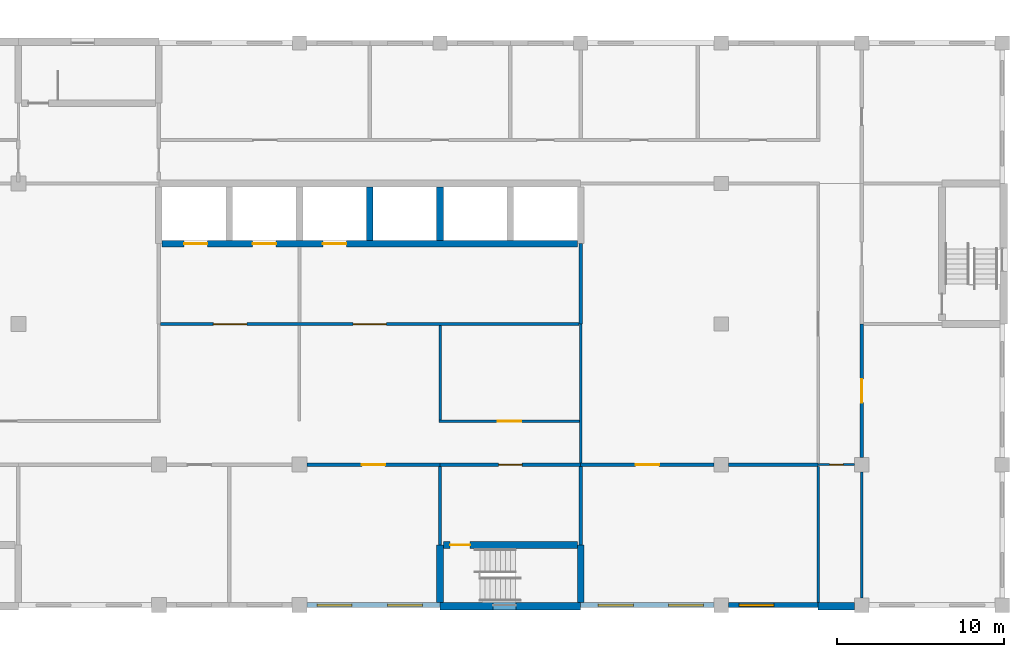
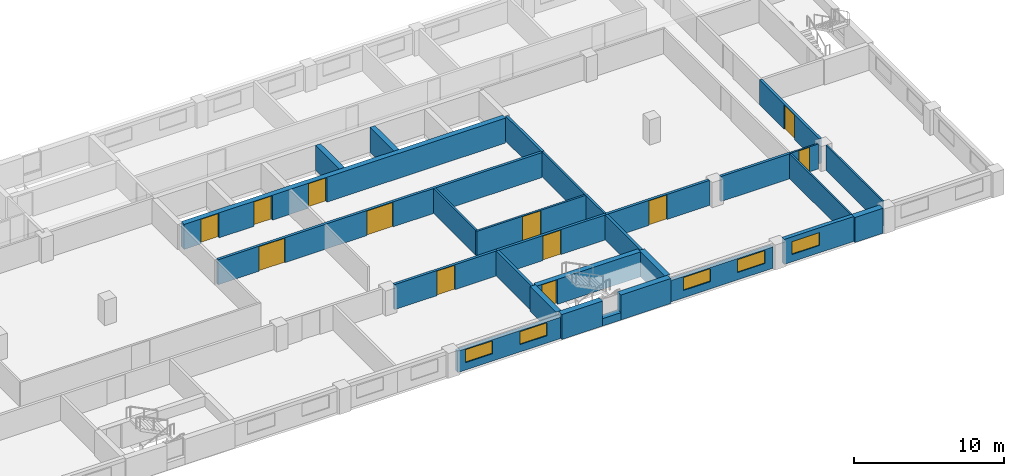
# One storey, part 39 of 48: 28 walls, 12 doors, 5 windows, 17 openings.
"""IFC4 building model written with IfcOpenShell, lengths in metres."""

from ifc_helpers import new_model, si_unit, direction, frame, frame_2d, origin, place, context, subcontext, project, spatial, rectangle, extrude, material, layer, layer_set, type_object, element, fill, save


model = new_model("IFC4")

# Units and contexts
model_context = context("Model", 3, precision=1e-05, world=origin(), true_north=direction((0.0, 1.0)))
body_context = subcontext(model_context, "Body", "Model", "MODEL_VIEW")
ifc_project = project(units=[si_unit("LENGTHUNIT", "METRE"), si_unit("AREAUNIT", "SQUARE_METRE"), si_unit("VOLUMEUNIT", "CUBIC_METRE"), si_unit("PLANEANGLEUNIT", "RADIAN"), si_unit("MASSUNIT", "GRAM", prefix="KILO")], contexts=[model_context])

# Site, building, storey
site_placement = place(None, origin())
site = spatial("IfcSite", under=ifc_project, at=site_placement, CompositionType="ELEMENT")
building_placement = place(site_placement, origin())
building = spatial("IfcBuilding", under=site, at=building_placement, Name="Yavir Park General Hospital", CompositionType="ELEMENT")
storey_placement = place(building_placement, frame((0.0, 0.0, 12.89990234375)))
storey = spatial("IfcBuildingStorey", under=building, at=storey_placement, Name="I02", CompositionType="ELEMENT", Elevation=12.89990234375)

# Wall, opening, door
ifc_material_1 = material(Name="Double gypsum board fire partition on steel studs", Category="steel")
ifc_layer_1 = layer(ifc_material_1, 0.199951171875)
ifc_layer_set_1 = layer_set([ifc_layer_1], Name="Double gypsum board fire partition on steel studs")
wall_type_1 = type_object("IfcWallType", Name="Fire-rated partition 200, EI 60", PredefinedType="PARTITIONING", material=ifc_layer_set_1)
wall_1_placement = place(storey_placement, frame((134.39990234375, 8.39990234375, 0.0), z_axis=(0.0, 0.0, 1.0), x_axis=(1.0, 0.0, 0.0)))
wall_1 = element("IfcWall", 1, at=wall_1_placement, inside=storey, type_object=wall_type_1, Name="FP20 I02-018", PredefinedType="PARTITIONING", context=body_context, shape_type="SweptSolid", body=[
    extrude(rectangle(XDim=8.400146484375, YDim=0.199951171875, at=frame_2d((4.2001953125, 0.0))), origin(), (0.0, 0.0, 1.0), 2.0400390625),
])
opening_1_placement = place(wall_1_placement, frame((3.5, 0.0, 0.0)))
opening_1 = element("IfcOpeningElement", 2, at=opening_1_placement, cuts=wall_1, Name="Opening I02.D015", PredefinedType="OPENING", context=body_context, shape_type="SweptSolid", body=[
    extrude(rectangle(XDim=1.39990234375, YDim=2.0, at=frame_2d((0.699951171875, 1.0))), frame((0.0, 0.10986328125, 0.0), z_axis=(0.0, -1.0, 0.0), x_axis=(1.0, 0.0, 0.0)), (0.0, 0.0, 1.0), 0.219970703125),
])
ifc_material_2 = material(Name="Steel frame, fire-resisting leaves with vision panels", Category="steel")
door_type_1 = type_object("IfcDoorType", Name="Double fire door with vision panels 1400 x 2000, EI 60", OperationType="DOUBLE_DOOR_SINGLE_SWING", PredefinedType="DOOR", material=ifc_material_2)
door_1_placement = place(opening_1_placement, origin())
door_1 = element("IfcDoor", 3, at=door_1_placement, inside=storey, type_object=door_type_1, Name="I02.D015", OperationType="SINGLE_SWING_LEFT", OverallHeight=2.0, OverallWidth=1.39990234375, PredefinedType="DOOR", context=body_context, shape_type="SweptSolid", body=[
    extrude(rectangle(XDim=1.39990234375, YDim=2.0, at=frame_2d((0.699951171875, 1.0))), frame((0.0, 0.030029296875, 0.0), z_axis=(0.0, -1.0, 0.0), x_axis=(1.0, 0.0, 0.0)), (0.0, 0.0, 1.0), 0.06005859375),
])
fill(opening_1, door_1)

# Wall, openings, doors
wall_2_placement = place(storey_placement, frame((117.699951171875, 16.800048828125, 0.0), z_axis=(0.0, 0.0, 1.0), x_axis=(1.0, 0.0, 0.0)))
wall_2 = element("IfcWall", 4, at=wall_2_placement, inside=storey, type_object=wall_type_1, Name="FP20 I02-035", PredefinedType="PARTITIONING", context=body_context, shape_type="SweptSolid", body=[
    extrude(rectangle(XDim=25.0, YDim=0.199951171875, at=frame_2d((12.5, 0.0))), origin(), (0.0, 0.0, 1.0), 2.0400390625),
])
opening_2_placement = place(wall_2_placement, frame((3.14990234375, 0.0, 0.0)))
opening_2 = element("IfcOpeningElement", 5, at=opening_2_placement, cuts=wall_2, Name="Opening I02.D027", PredefinedType="OPENING", context=body_context, shape_type="SweptSolid", body=[
    extrude(rectangle(XDim=2.0, YDim=2.0, at=frame_2d((1.0, 1.0))), frame((0.0, 0.10986328125, 0.0), z_axis=(0.0, -1.0, 0.0), x_axis=(1.0, 0.0, 0.0)), (0.0, 0.0, 1.0), 0.219970703125),
])
opening_3_placement = place(wall_2_placement, frame((11.5, 0.0, 0.0)))
opening_3 = element("IfcOpeningElement", 6, at=opening_3_placement, cuts=wall_2, Name="Opening I02.D028", PredefinedType="OPENING", context=body_context, shape_type="SweptSolid", body=[
    extrude(rectangle(XDim=2.0, YDim=2.0, at=frame_2d((1.0, 1.0))), frame((0.0, 0.10986328125, 0.0), z_axis=(0.0, -1.0, 0.0), x_axis=(1.0, 0.0, 0.0)), (0.0, 0.0, 1.0), 0.219970703125),
])
ifc_material_3 = material(Name="Steel frame, fire-resisting leaves with vision panels", Category="steel")
door_type_2 = type_object("IfcDoorType", Name="Double fire door with vision panels 2000 x 2000, EI 60", OperationType="DOUBLE_DOOR_SINGLE_SWING", PredefinedType="DOOR", material=ifc_material_3)
door_2_placement = place(opening_2_placement, origin())
door_2 = element("IfcDoor", 7, at=door_2_placement, inside=storey, type_object=door_type_2, Name="I02.D027", OperationType="SINGLE_SWING_LEFT", OverallHeight=2.0, OverallWidth=2.0, PredefinedType="DOOR", context=body_context, shape_type="SweptSolid", body=[
    extrude(rectangle(XDim=2.0, YDim=2.0, at=frame_2d((1.0, 1.0))), frame((0.0, 0.030029296875, 0.0), z_axis=(0.0, -1.0, 0.0), x_axis=(1.0, 0.0, 0.0)), (0.0, 0.0, 1.0), 0.06005859375),
])
fill(opening_2, door_2)
door_3_placement = place(opening_3_placement, origin())
door_3 = element("IfcDoor", 8, at=door_3_placement, inside=storey, type_object=door_type_2, Name="I02.D028", OperationType="SINGLE_SWING_LEFT", OverallHeight=2.0, OverallWidth=2.0, PredefinedType="DOOR", context=body_context, shape_type="SweptSolid", body=[
    extrude(rectangle(XDim=2.0, YDim=2.0, at=frame_2d((1.0, 1.0))), frame((0.0, 0.030029296875, 0.0), z_axis=(0.0, -1.0, 0.0), x_axis=(1.0, 0.0, 0.0)), (0.0, 0.0, 1.0), 0.06005859375),
])
fill(opening_3, door_3)

# Walls
for number, where, z_axis, x_axis, name in (
    (9, (134.39990234375, 3.60009765625, 0.0), (0.0, 0.0, 1.0), (0.0, 1.0, 0.0), "FP20 I02-190"),
    (10, (142.800048828125, 3.60009765625, 0.0), (0.0, 0.0, 1.0), (0.0, 1.0, 0.0), "FP20 I02-196"),
):
    element("IfcWall", number, at=place(storey_placement, frame(where, z_axis=z_axis, x_axis=x_axis)), inside=storey, type_object=wall_type_1, Name=name, PredefinedType="PARTITIONING", context=body_context, shape_type="SweptSolid", body=[
        extrude(rectangle(XDim=4.699951171875, YDim=0.199951171875, at=frame_2d((2.35009765625, 0.0))), origin(), (0.0, 0.0, 1.0), 2.0400390625),
    ])
wall_3_placement = place(storey_placement, frame((142.800048828125, 16.800048828125, 0.0), z_axis=(0.0, 0.0, 1.0), x_axis=(0.0, 1.0, 0.0)))
element("IfcWall", 11, at=wall_3_placement, inside=storey, type_object=wall_type_1, Name="FP20 I02-198", PredefinedType="PARTITIONING", context=body_context, shape_type="SweptSolid", body=[
    extrude(rectangle(XDim=4.800048828125, YDim=0.199951171875, at=frame_2d((2.39990234375, 0.0))), origin(), (0.0, 0.0, 1.0), 2.0400390625),
])

# Wall, opening, door
ifc_material_4 = material(Name="Gypsum board partition on steel studs", Category="steel")
ifc_layer_2 = layer(ifc_material_4, 0.14990234375)
ifc_layer_set_2 = layer_set([ifc_layer_2], Name="Gypsum board partition on steel studs")
wall_type_2 = type_object("IfcWallType", Name="Gypsum board partition 150", PredefinedType="PARTITIONING", material=ifc_layer_set_2)
wall_4_placement = place(storey_placement, frame((134.324951171875, 11.0, 0.0), z_axis=(0.0, 0.0, 1.0), x_axis=(1.0, 0.0, 0.0)))
wall_4 = element("IfcWall", 12, at=wall_4_placement, inside=storey, type_object=wall_type_2, Name="P15 I02-026", PredefinedType="PARTITIONING", context=body_context, shape_type="SweptSolid", body=[
    extrude(rectangle(XDim=8.400146484375, YDim=0.14990234375, at=frame_2d((4.2001953125, 0.0))), origin(), (0.0, 0.0, 1.0), 2.0400390625),
])
opening_4_placement = place(wall_4_placement, frame((3.53759765625, 0.0, 0.0)))
opening_4 = element("IfcOpeningElement", 13, at=opening_4_placement, cuts=wall_4, Name="Opening I02.D022", PredefinedType="OPENING", context=body_context, shape_type="SweptSolid", body=[
    extrude(rectangle(XDim=1.39990234375, YDim=2.0, at=frame_2d((0.699951171875, 1.0))), frame((0.0, 0.0849609375, 0.0), z_axis=(0.0, -1.0, 0.0), x_axis=(1.0, 0.0, 0.0)), (0.0, 0.0, 1.0), 0.169921875),
])
ifc_material_5 = material(Name="Hollow metal frame, solid-core timber leaf", Category="wood")
door_type_3 = type_object("IfcDoorType", Name="Double swing door 1400 x 2000", OperationType="DOUBLE_DOOR_SINGLE_SWING", PredefinedType="DOOR", material=ifc_material_5)
door_4_placement = place(opening_4_placement, origin())
door_4 = element("IfcDoor", 14, at=door_4_placement, inside=storey, type_object=door_type_3, Name="I02.D022", OperationType="SINGLE_SWING_RIGHT", OverallHeight=2.0, OverallWidth=1.39990234375, PredefinedType="DOOR", context=body_context, shape_type="SweptSolid", body=[
    extrude(rectangle(XDim=1.39990234375, YDim=2.0, at=frame_2d((0.699951171875, 1.0))), frame((0.0, 0.02490234375, 0.0), z_axis=(0.0, -1.0, 0.0), x_axis=(1.0, 0.0, 0.0)), (0.0, 0.0, 1.0), 0.050048828125),
])
fill(opening_4, door_4)

# Walls
wall_5_placement = place(storey_placement, frame((134.39990234375, 11.074951171875, 0.0), z_axis=(0.0, 0.0, 1.0), x_axis=(0.0, 1.0, 0.0)))
element("IfcWall", 15, at=wall_5_placement, inside=storey, type_object=wall_type_2, Name="P15 I02-191", PredefinedType="PARTITIONING", context=body_context, shape_type="SweptSolid", body=[
    extrude(rectangle(XDim=5.625, YDim=0.14990234375, at=frame_2d((2.8125, 0.0))), origin(), (0.0, 0.0, 1.0), 2.0400390625),
])
wall_6_placement = place(storey_placement, frame((142.800048828125, 8.5, 0.0), z_axis=(0.0, 0.0, 1.0), x_axis=(0.0, 1.0, 0.0)))
element("IfcWall", 16, at=wall_6_placement, inside=storey, type_object=wall_type_2, Name="P15 I02-197", PredefinedType="PARTITIONING", context=body_context, shape_type="SweptSolid", body=[
    extrude(rectangle(XDim=8.300048828125, YDim=0.14990234375, at=frame_2d((4.14990234375, 0.0))), origin(), (0.0, 0.0, 1.0), 2.0400390625),
])

# Wall, openings, windows
ifc_material_6 = material(Name="Insulated sandwich panels on a Steel S355 subframe", Category="steel")
ifc_layer_3 = layer(ifc_material_6, 0.300048828125)
ifc_layer_set_3 = layer_set([ifc_layer_3], Name="Insulated sandwich panels on a Steel S355 subframe")
wall_type_3 = type_object("IfcWallType", Name="Insulated panel service floor wall 300, E 30", PredefinedType="SOLIDWALL", material=ifc_layer_set_3)
wall_7_placement = place(storey_placement, frame((126.449951171875, 0.0, 0.0), z_axis=(0.0, 0.0, 1.0), x_axis=(1.0, 0.0, 0.0)))
wall_7 = element("IfcWall", 17, at=wall_7_placement, inside=storey, type_object=wall_type_3, Name="XW5 I02-026", PredefinedType="SOLIDWALL", context=body_context, shape_type="SweptSolid", body=[
    extrude(rectangle(XDim=7.949951171875, YDim=0.300048828125, at=frame_2d((3.97509765625, 0.0))), origin(), (0.0, 0.0, 1.0), 1.739990234375),
])
opening_5_placement = place(wall_7_placement, frame((0.60009765625, 0.0, 0.60009765625)))
opening_5 = element("IfcOpeningElement", 18, at=opening_5_placement, cuts=wall_7, Name="Opening LV3", PredefinedType="OPENING", context=body_context, shape_type="SweptSolid", body=[
    extrude(rectangle(XDim=2.10009765625, YDim=1.050048828125, at=frame_2d((1.050048828125, 0.52490234375))), frame((0.0, 0.159912109375, 0.0), z_axis=(0.0, -1.0, 0.0), x_axis=(1.0, 0.0, 0.0)), (0.0, 0.0, 1.0), 0.320068359375),
])
opening_6_placement = place(wall_7_placement, frame((4.800048828125, 0.0, 0.60009765625)))
opening_6 = element("IfcOpeningElement", 19, at=opening_6_placement, cuts=wall_7, Name="Opening LV3", PredefinedType="OPENING", context=body_context, shape_type="SweptSolid", body=[
    extrude(rectangle(XDim=2.10009765625, YDim=1.050048828125, at=frame_2d((1.050048828125, 0.52490234375))), frame((0.0, 0.159912109375, 0.0), z_axis=(0.0, -1.0, 0.0), x_axis=(1.0, 0.0, 0.0)), (0.0, 0.0, 1.0), 0.320068359375),
])
ifc_material_7 = material(Name="Anodised aluminium louvre blades in a deep frame", Category="aluminium")
window_type = type_object("IfcWindowType", Name="Interstitial floor louvre 2100 x 1050", PartitioningType="SINGLE_PANEL", PredefinedType="WINDOW", material=ifc_material_7)
window_1_placement = place(opening_5_placement, origin())
window_1 = element("IfcWindow", 20, at=window_1_placement, inside=storey, type_object=window_type, Name="LV3 I02-025", OverallHeight=1.050048828125, OverallWidth=2.10009765625, PartitioningType="SINGLE_PANEL", PredefinedType="WINDOW", context=body_context, shape_type="SweptSolid", body=[
    extrude(rectangle(XDim=2.10009765625, YDim=1.050048828125, at=frame_2d((1.050048828125, 0.52490234375))), frame((0.0, 0.074951171875, 0.0), z_axis=(0.0, -1.0, 0.0), x_axis=(1.0, 0.0, 0.0)), (0.0, 0.0, 1.0), 0.14990234375),
])
fill(opening_5, window_1)
window_2_placement = place(opening_6_placement, origin())
window_2 = element("IfcWindow", 21, at=window_2_placement, inside=storey, type_object=window_type, Name="LV3 I02-026", OverallHeight=1.050048828125, OverallWidth=2.10009765625, PartitioningType="SINGLE_PANEL", PredefinedType="WINDOW", context=body_context, shape_type="SweptSolid", body=[
    extrude(rectangle(XDim=2.10009765625, YDim=1.050048828125, at=frame_2d((1.050048828125, 0.52490234375))), frame((0.0, 0.074951171875, 0.0), z_axis=(0.0, -1.0, 0.0), x_axis=(1.0, 0.0, 0.0)), (0.0, 0.0, 1.0), 0.14990234375),
])
fill(opening_6, window_2)

wall_8_placement = place(storey_placement, frame((142.800048828125, 0.0, 0.0), z_axis=(0.0, 0.0, 1.0), x_axis=(1.0, 0.0, 0.0)))
wall_8 = element("IfcWall", 22, at=wall_8_placement, inside=storey, type_object=wall_type_3, Name="XW5 I02-030", PredefinedType="SOLIDWALL", context=body_context, shape_type="SweptSolid", body=[
    extrude(rectangle(XDim=7.974853515625, YDim=0.300048828125, at=frame_2d((3.9873046875, 0.0))), origin(), (0.0, 0.0, 1.0), 1.739990234375),
])
opening_7_placement = place(wall_8_placement, frame((1.050048828125, 0.0, 0.60009765625)))
opening_7 = element("IfcOpeningElement", 23, at=opening_7_placement, cuts=wall_8, Name="Opening LV3", PredefinedType="OPENING", context=body_context, shape_type="SweptSolid", body=[
    extrude(rectangle(XDim=2.10009765625, YDim=1.050048828125, at=frame_2d((1.050048828125, 0.52490234375))), frame((0.0, 0.159912109375, 0.0), z_axis=(0.0, -1.0, 0.0), x_axis=(1.0, 0.0, 0.0)), (0.0, 0.0, 1.0), 0.320068359375),
])
opening_8_placement = place(wall_8_placement, frame((5.25, 0.0, 0.60009765625)))
opening_8 = element("IfcOpeningElement", 24, at=opening_8_placement, cuts=wall_8, Name="Opening LV3", PredefinedType="OPENING", context=body_context, shape_type="SweptSolid", body=[
    extrude(rectangle(XDim=2.10009765625, YDim=1.050048828125, at=frame_2d((1.050048828125, 0.52490234375))), frame((0.0, 0.159912109375, 0.0), z_axis=(0.0, -1.0, 0.0), x_axis=(1.0, 0.0, 0.0)), (0.0, 0.0, 1.0), 0.320068359375),
])
window_3_placement = place(opening_7_placement, origin())
window_3 = element("IfcWindow", 25, at=window_3_placement, inside=storey, type_object=window_type, Name="LV3 I02-027", OverallHeight=1.050048828125, OverallWidth=2.10009765625, PartitioningType="SINGLE_PANEL", PredefinedType="WINDOW", context=body_context, shape_type="SweptSolid", body=[
    extrude(rectangle(XDim=2.10009765625, YDim=1.050048828125, at=frame_2d((1.050048828125, 0.52490234375))), frame((0.0, 0.074951171875, 0.0), z_axis=(0.0, -1.0, 0.0), x_axis=(1.0, 0.0, 0.0)), (0.0, 0.0, 1.0), 0.14990234375),
])
fill(opening_7, window_3)
window_4_placement = place(opening_8_placement, origin())
window_4 = element("IfcWindow", 26, at=window_4_placement, inside=storey, type_object=window_type, Name="LV3 I02-028", OverallHeight=1.050048828125, OverallWidth=2.10009765625, PartitioningType="SINGLE_PANEL", PredefinedType="WINDOW", context=body_context, shape_type="SweptSolid", body=[
    extrude(rectangle(XDim=2.10009765625, YDim=1.050048828125, at=frame_2d((1.050048828125, 0.52490234375))), frame((0.0, 0.074951171875, 0.0), z_axis=(0.0, -1.0, 0.0), x_axis=(1.0, 0.0, 0.0)), (0.0, 0.0, 1.0), 0.14990234375),
])
fill(opening_8, window_4)

# Wall, opening, window
wall_9_placement = place(storey_placement, frame((151.625, 0.0, 0.0), z_axis=(0.0, 0.0, 1.0), x_axis=(1.0, 0.0, 0.0)))
wall_9 = element("IfcWall", 27, at=wall_9_placement, inside=storey, type_object=wall_type_3, Name="XW5 I02-031", PredefinedType="SOLIDWALL", context=body_context, shape_type="SweptSolid", body=[
    extrude(rectangle(XDim=5.375, YDim=0.300048828125, at=frame_2d((2.6875, 0.0))), origin(), (0.0, 0.0, 1.0), 2.0400390625),
])
opening_9_placement = place(wall_9_placement, frame((0.625, 0.0, 0.60009765625)))
opening_9 = element("IfcOpeningElement", 28, at=opening_9_placement, cuts=wall_9, Name="Opening LV3", PredefinedType="OPENING", context=body_context, shape_type="SweptSolid", body=[
    extrude(rectangle(XDim=2.10009765625, YDim=1.050048828125, at=frame_2d((1.050048828125, 0.52490234375))), frame((0.0, 0.159912109375, 0.0), z_axis=(0.0, -1.0, 0.0), x_axis=(1.0, 0.0, 0.0)), (0.0, 0.0, 1.0), 0.320068359375),
])
window_5_placement = place(opening_9_placement, origin())
window_5 = element("IfcWindow", 29, at=window_5_placement, inside=storey, type_object=window_type, Name="LV3 I02-029", OverallHeight=1.050048828125, OverallWidth=2.10009765625, PartitioningType="SINGLE_PANEL", PredefinedType="WINDOW", context=body_context, shape_type="SweptSolid", body=[
    extrude(rectangle(XDim=2.10009765625, YDim=1.050048828125, at=frame_2d((1.050048828125, 0.52490234375))), frame((0.0, 0.074951171875, 0.0), z_axis=(0.0, -1.0, 0.0), x_axis=(1.0, 0.0, 0.0)), (0.0, 0.0, 1.0), 0.14990234375),
])
fill(opening_9, window_5)

# Wall, opening, door
ifc_material_8 = material(Name="Clay block masonry infill", Category="masonry")
ifc_layer_4 = layer(ifc_material_8, 0.199951171875)
ifc_layer_set_4 = layer_set([ifc_layer_4], Name="Clay block masonry infill")
wall_type_4 = type_object("IfcWallType", Name="Masonry infill wall 200", PredefinedType="SOLIDWALL", material=ifc_layer_set_4)
wall_10_placement = place(storey_placement, frame((126.449951171875, 8.39990234375, 0.0), z_axis=(0.0, 0.0, 1.0), x_axis=(1.0, 0.0, 0.0)))
wall_10 = element("IfcWall", 30, at=wall_10_placement, inside=storey, type_object=wall_type_4, Name="MW20 I02-017", PredefinedType="SOLIDWALL", context=body_context, shape_type="SweptSolid", body=[
    extrude(rectangle(XDim=7.949951171875, YDim=0.199951171875, at=frame_2d((3.97509765625, 0.0))), origin(), (0.0, 0.0, 1.0), 2.0400390625),
])
opening_10_placement = place(wall_10_placement, frame((3.27490234375, 0.0, 0.0)))
opening_10 = element("IfcOpeningElement", 31, at=opening_10_placement, cuts=wall_10, Name="Opening I02.D014", PredefinedType="OPENING", context=body_context, shape_type="SweptSolid", body=[
    extrude(rectangle(XDim=1.39990234375, YDim=2.0, at=frame_2d((0.699951171875, 1.0))), frame((0.0, 0.10986328125, 0.0), z_axis=(0.0, -1.0, 0.0), x_axis=(1.0, 0.0, 0.0)), (0.0, 0.0, 1.0), 0.219970703125),
])
door_5_placement = place(opening_10_placement, origin())
door_5 = element("IfcDoor", 32, at=door_5_placement, inside=storey, type_object=door_type_3, Name="I02.D014", OperationType="SINGLE_SWING_RIGHT", OverallHeight=2.0, OverallWidth=1.39990234375, PredefinedType="DOOR", context=body_context, shape_type="SweptSolid", body=[
    extrude(rectangle(XDim=1.39990234375, YDim=2.0, at=frame_2d((0.699951171875, 1.0))), frame((0.0, 0.02490234375, 0.0), z_axis=(0.0, -1.0, 0.0), x_axis=(1.0, 0.0, 0.0)), (0.0, 0.0, 1.0), 0.050048828125),
])
fill(opening_10, door_5)

wall_11_placement = place(storey_placement, frame((142.800048828125, 8.39990234375, 0.0), z_axis=(0.0, 0.0, 1.0), x_axis=(1.0, 0.0, 0.0)))
wall_11 = element("IfcWall", 33, at=wall_11_placement, inside=storey, type_object=wall_type_4, Name="MW20 I02-019", PredefinedType="SOLIDWALL", context=body_context, shape_type="SweptSolid", body=[
    extrude(rectangle(XDim=7.974853515625, YDim=0.199951171875, at=frame_2d((3.9873046875, 0.0))), origin(), (0.0, 0.0, 1.0), 2.0400390625),
])
opening_11_placement = place(wall_11_placement, frame((3.28759765625, 0.0, 0.0)))
opening_11 = element("IfcOpeningElement", 34, at=opening_11_placement, cuts=wall_11, Name="Opening I02.D016", PredefinedType="OPENING", context=body_context, shape_type="SweptSolid", body=[
    extrude(rectangle(XDim=1.39990234375, YDim=2.0, at=frame_2d((0.699951171875, 1.0))), frame((0.0, 0.10986328125, 0.0), z_axis=(0.0, -1.0, 0.0), x_axis=(1.0, 0.0, 0.0)), (0.0, 0.0, 1.0), 0.219970703125),
])
door_6_placement = place(opening_11_placement, origin())
door_6 = element("IfcDoor", 35, at=door_6_placement, inside=storey, type_object=door_type_3, Name="I02.D016", OperationType="SINGLE_SWING_LEFT", OverallHeight=2.0, OverallWidth=1.39990234375, PredefinedType="DOOR", context=body_context, shape_type="SweptSolid", body=[
    extrude(rectangle(XDim=1.39990234375, YDim=2.0, at=frame_2d((0.699951171875, 1.0))), frame((0.0, 0.02490234375, 0.0), z_axis=(0.0, -1.0, 0.0), x_axis=(1.0, 0.0, 0.0)), (0.0, 0.0, 1.0), 0.050048828125),
])
fill(opening_11, door_6)

# Wall
wall_12_placement = place(storey_placement, frame((151.625, 8.39990234375, 0.0), z_axis=(0.0, 0.0, 1.0), x_axis=(1.0, 0.0, 0.0)))
element("IfcWall", 36, at=wall_12_placement, inside=storey, type_object=wall_type_4, Name="MW20 I02-020", PredefinedType="SOLIDWALL", context=body_context, shape_type="SweptSolid", body=[
    extrude(rectangle(XDim=5.375, YDim=0.199951171875, at=frame_2d((2.6875, 0.0))), origin(), (0.0, 0.0, 1.0), 2.0400390625),
])

# Wall, opening, door
wall_13_placement = place(storey_placement, frame((159.60009765625, 8.824951171875, 0.0), z_axis=(0.0, 0.0, 1.0), x_axis=(0.0, 1.0, 0.0)))
wall_13 = element("IfcWall", 37, at=wall_13_placement, inside=storey, type_object=wall_type_4, Name="MW20 I02-206", PredefinedType="SOLIDWALL", context=body_context, shape_type="SweptSolid", body=[
    extrude(rectangle(XDim=7.97509765625, YDim=0.199951171875, at=frame_2d((3.987548828125, 0.0))), origin(), (0.0, 0.0, 1.0), 2.0400390625),
])
opening_12_placement = place(wall_13_placement, frame((3.28759765625, 0.0, 0.0)))
opening_12 = element("IfcOpeningElement", 38, at=opening_12_placement, cuts=wall_13, Name="Opening I02.D087", PredefinedType="OPENING", context=body_context, shape_type="SweptSolid", body=[
    extrude(rectangle(XDim=1.39990234375, YDim=2.0, at=frame_2d((0.699951171875, 1.0))), frame((0.0, 0.10986328125, 0.0), z_axis=(0.0, -1.0, 0.0), x_axis=(1.0, 0.0, 0.0)), (0.0, 0.0, 1.0), 0.219970703125),
])
door_7_placement = place(opening_12_placement, origin())
door_7 = element("IfcDoor", 39, at=door_7_placement, inside=storey, type_object=door_type_3, Name="I02.D087", OperationType="SINGLE_SWING_RIGHT", OverallHeight=2.0, OverallWidth=1.39990234375, PredefinedType="DOOR", context=body_context, shape_type="SweptSolid", body=[
    extrude(rectangle(XDim=1.39990234375, YDim=2.0, at=frame_2d((0.699951171875, 1.0))), frame((0.0, 0.02490234375, 0.0), z_axis=(0.0, -1.0, 0.0), x_axis=(1.0, 0.0, 0.0)), (0.0, 0.0, 1.0), 0.050048828125),
])
fill(opening_12, door_7)

ifc_material_9 = material(Name="Concrete C35/45", Category="concrete")
ifc_layer_5 = layer(ifc_material_9, 0.39990234375)
ifc_layer_set_5 = layer_set([ifc_layer_5], Name="Concrete C35/45")
wall_type_5 = type_object("IfcWallType", Name="Reinforced concrete core wall 400, REI 150", PredefinedType="SHEAR", material=ifc_layer_set_5)
wall_14_placement = place(storey_placement, frame((134.60009765625, 3.60009765625, 0.0), z_axis=(0.0, 0.0, 1.0), x_axis=(1.0, 0.0, 0.0)))
wall_14 = element("IfcWall", 40, at=wall_14_placement, inside=storey, type_object=wall_type_5, Name="CW40 I02-004", PredefinedType="SHEAR", context=body_context, shape_type="SweptSolid", body=[
    extrude(rectangle(XDim=8.0, YDim=0.39990234375, at=frame_2d((4.0, 0.0))), origin(), (0.0, 0.0, 1.0), 2.0400390625),
])
opening_13_placement = place(wall_14_placement, frame((0.39990234375, 0.0, 0.0)))
opening_13 = element("IfcOpeningElement", 41, at=opening_13_placement, cuts=wall_14, Name="Opening I02.D004", PredefinedType="OPENING", context=body_context, shape_type="SweptSolid", body=[
    extrude(rectangle(XDim=1.199951171875, YDim=2.0, at=frame_2d((0.60009765625, 1.0))), frame((0.0, 0.2099609375, 0.0), z_axis=(0.0, -1.0, 0.0), x_axis=(1.0, 0.0, 0.0)), (0.0, 0.0, 1.0), 0.419921875),
])
ifc_material_10 = material(Name="Steel frame, fire-resisting timber leaf", Category="steel")
door_type_4 = type_object("IfcDoorType", Name="Fire door 1200 x 2000, EI 60", OperationType="SINGLE_SWING_LEFT", PredefinedType="DOOR", material=ifc_material_10)
door_8_placement = place(opening_13_placement, origin())
door_8 = element("IfcDoor", 42, at=door_8_placement, inside=storey, type_object=door_type_4, Name="I02.D004", OperationType="SINGLE_SWING_LEFT", OverallHeight=2.0, OverallWidth=1.199951171875, PredefinedType="DOOR", context=body_context, shape_type="SweptSolid", body=[
    extrude(rectangle(XDim=1.199951171875, YDim=2.0, at=frame_2d((0.60009765625, 1.0))), frame((0.0, 0.02490234375, 0.0), z_axis=(0.0, -1.0, 0.0), x_axis=(1.0, 0.0, 0.0)), (0.0, 0.0, 1.0), 0.050048828125),
])
fill(opening_13, door_8)

# Wall, openings, doors
wall_15_placement = place(storey_placement, frame((117.800048828125, 21.60009765625, 0.0), z_axis=(0.0, 0.0, 1.0), x_axis=(1.0, 0.0, 0.0)))
wall_15 = element("IfcWall", 43, at=wall_15_placement, inside=storey, type_object=wall_type_5, Name="CW40 I02-039", PredefinedType="SHEAR", context=body_context, shape_type="SweptSolid", body=[
    extrude(rectangle(XDim=24.800048828125, YDim=0.39990234375, at=frame_2d((12.39990234375, 0.0))), origin(), (0.0, 0.0, 1.0), 2.0400390625),
])
opening_14_placement = place(wall_15_placement, frame((1.300048828125, 0.0, 0.0)))
opening_14 = element("IfcOpeningElement", 44, at=opening_14_placement, cuts=wall_15, Name="Opening I02.D030", PredefinedType="OPENING", context=body_context, shape_type="SweptSolid", body=[
    extrude(rectangle(XDim=1.39990234375, YDim=2.0, at=frame_2d((0.699951171875, 1.0))), frame((0.0, 0.2099609375, 0.0), z_axis=(0.0, -1.0, 0.0), x_axis=(1.0, 0.0, 0.0)), (0.0, 0.0, 1.0), 0.419921875),
])
opening_15_placement = place(wall_15_placement, frame((5.39990234375, 0.0, 0.0)))
opening_15 = element("IfcOpeningElement", 45, at=opening_15_placement, cuts=wall_15, Name="Opening I02.D031", PredefinedType="OPENING", context=body_context, shape_type="SweptSolid", body=[
    extrude(rectangle(XDim=1.39990234375, YDim=2.0, at=frame_2d((0.699951171875, 1.0))), frame((0.0, 0.2099609375, 0.0), z_axis=(0.0, -1.0, 0.0), x_axis=(1.0, 0.0, 0.0)), (0.0, 0.0, 1.0), 0.419921875),
])
opening_16_placement = place(wall_15_placement, frame((9.60009765625, 0.0, 0.0)))
opening_16 = element("IfcOpeningElement", 46, at=opening_16_placement, cuts=wall_15, Name="Opening I02.D032", PredefinedType="OPENING", context=body_context, shape_type="SweptSolid", body=[
    extrude(rectangle(XDim=1.39990234375, YDim=2.0, at=frame_2d((0.699951171875, 1.0))), frame((0.0, 0.2099609375, 0.0), z_axis=(0.0, -1.0, 0.0), x_axis=(1.0, 0.0, 0.0)), (0.0, 0.0, 1.0), 0.419921875),
])
ifc_material_11 = material(Name="Stainless steel landing door panels", Category="steel")
door_type_5 = type_object("IfcDoorType", Name="Lift landing door 1400 x 2000, EI 60", OperationType="SLIDING_TO_LEFT", PredefinedType="DOOR", material=ifc_material_11)
door_9_placement = place(opening_14_placement, origin())
door_9 = element("IfcDoor", 47, at=door_9_placement, inside=storey, type_object=door_type_5, Name="I02.D030", OperationType="SLIDING_TO_LEFT", OverallHeight=2.0, OverallWidth=1.39990234375, PredefinedType="DOOR", context=body_context, shape_type="SweptSolid", body=[
    extrude(rectangle(XDim=1.39990234375, YDim=2.0, at=frame_2d((0.699951171875, 1.0))), frame((0.0, 0.02490234375, 0.0), z_axis=(0.0, -1.0, 0.0), x_axis=(1.0, 0.0, 0.0)), (0.0, 0.0, 1.0), 0.050048828125),
])
fill(opening_14, door_9)
door_10_placement = place(opening_15_placement, origin())
door_10 = element("IfcDoor", 48, at=door_10_placement, inside=storey, type_object=door_type_5, Name="I02.D031", OperationType="SLIDING_TO_LEFT", OverallHeight=2.0, OverallWidth=1.39990234375, PredefinedType="DOOR", context=body_context, shape_type="SweptSolid", body=[
    extrude(rectangle(XDim=1.39990234375, YDim=2.0, at=frame_2d((0.699951171875, 1.0))), frame((0.0, 0.02490234375, 0.0), z_axis=(0.0, -1.0, 0.0), x_axis=(1.0, 0.0, 0.0)), (0.0, 0.0, 1.0), 0.050048828125),
])
fill(opening_15, door_10)
door_11_placement = place(opening_16_placement, origin())
door_11 = element("IfcDoor", 49, at=door_11_placement, inside=storey, type_object=door_type_5, Name="I02.D032", OperationType="SLIDING_TO_LEFT", OverallHeight=2.0, OverallWidth=1.39990234375, PredefinedType="DOOR", context=body_context, shape_type="SweptSolid", body=[
    extrude(rectangle(XDim=1.39990234375, YDim=2.0, at=frame_2d((0.699951171875, 1.0))), frame((0.0, 0.02490234375, 0.0), z_axis=(0.0, -1.0, 0.0), x_axis=(1.0, 0.0, 0.0)), (0.0, 0.0, 1.0), 0.050048828125),
])
fill(opening_16, door_11)

# Walls
wall_16_placement = place(storey_placement, frame((130.199951171875, 21.800048828125, 0.0), z_axis=(0.0, 0.0, 1.0), x_axis=(0.0, 1.0, 0.0)))
element("IfcWall", 50, at=wall_16_placement, inside=storey, type_object=wall_type_5, Name="CW40 I02-187", PredefinedType="SHEAR", context=body_context, shape_type="SweptSolid", body=[
    extrude(rectangle(XDim=3.199951171875, YDim=0.39990234375, at=frame_2d((1.60009765625, 0.0))), origin(), (0.0, 0.0, 1.0), 2.0400390625),
])
wall_17_placement = place(storey_placement, frame((134.39990234375, 0.14990234375, 0.0), z_axis=(0.0, 0.0, 1.0), x_axis=(0.0, 1.0, 0.0)))
element("IfcWall", 51, at=wall_17_placement, inside=storey, type_object=wall_type_5, Name="CW40 I02-189", PredefinedType="SHEAR", context=body_context, shape_type="SweptSolid", body=[
    extrude(rectangle(XDim=3.4501953125, YDim=0.39990234375, at=frame_2d((1.72509765625, 0.0))), origin(), (0.0, 0.0, 1.0), 2.0400390625),
])
wall_18_placement = place(storey_placement, frame((134.39990234375, 21.800048828125, 0.0), z_axis=(0.0, 0.0, 1.0), x_axis=(0.0, 1.0, 0.0)))
element("IfcWall", 52, at=wall_18_placement, inside=storey, type_object=wall_type_5, Name="CW40 I02-192", PredefinedType="SHEAR", context=body_context, shape_type="SweptSolid", body=[
    extrude(rectangle(XDim=3.199951171875, YDim=0.39990234375, at=frame_2d((1.60009765625, 0.0))), origin(), (0.0, 0.0, 1.0), 2.0400390625),
])
wall_19_placement = place(storey_placement, frame((142.800048828125, 0.14990234375, 0.0), z_axis=(0.0, 0.0, 1.0), x_axis=(0.0, 1.0, 0.0)))
element("IfcWall", 53, at=wall_19_placement, inside=storey, type_object=wall_type_5, Name="CW40 I02-195", PredefinedType="SHEAR", context=body_context, shape_type="SweptSolid", body=[
    extrude(rectangle(XDim=3.4501953125, YDim=0.39990234375, at=frame_2d((1.72509765625, 0.0))), origin(), (0.0, 0.0, 1.0), 2.0400390625),
])

# Wall, opening, door
ifc_material_12 = material(Name="Gypsum shaft wall system on steel studs", Category="steel")
ifc_layer_6 = layer(ifc_material_12, 0.125)
ifc_layer_set_6 = layer_set([ifc_layer_6], Name="Gypsum shaft wall system on steel studs")
wall_type_6 = type_object("IfcWallType", Name="Shaft wall 125, EI 90", PredefinedType="SOLIDWALL", material=ifc_layer_set_6)
wall_20_placement = place(storey_placement, frame((157.0, 8.39990234375, 0.0), z_axis=(0.0, 0.0, 1.0), x_axis=(1.0, 0.0, 0.0)))
wall_20 = element("IfcWall", 54, at=wall_20_placement, inside=storey, type_object=wall_type_6, Name="SW125 I02-021", PredefinedType="SOLIDWALL", context=body_context, shape_type="SweptSolid", body=[
    extrude(rectangle(XDim=2.175048828125, YDim=0.125, at=frame_2d((1.08740234375, 0.0))), origin(), (0.0, 0.0, 1.0), 2.0400390625),
])
opening_17_placement = place(wall_20_placement, frame((0.6875, 0.0, 0.0)))
opening_17 = element("IfcOpeningElement", 55, at=opening_17_placement, cuts=wall_20, Name="Opening I02.D017", PredefinedType="OPENING", context=body_context, shape_type="SweptSolid", body=[
    extrude(rectangle(XDim=0.800048828125, YDim=2.0, at=frame_2d((0.39990234375, 1.0))), frame((0.0, 0.072509765625, 0.0), z_axis=(0.0, -1.0, 0.0), x_axis=(1.0, 0.0, 0.0)), (0.0, 0.0, 1.0), 0.14501953125),
])
ifc_material_13 = material(Name="Steel frame, fire-resisting access leaf", Category="steel")
door_type_6 = type_object("IfcDoorType", Name="Fire-resisting riser access door 800 x 2000, EI 90", OperationType="SINGLE_SWING_LEFT", PredefinedType="DOOR", material=ifc_material_13)
door_12_placement = place(opening_17_placement, origin())
door_12 = element("IfcDoor", 56, at=door_12_placement, inside=storey, type_object=door_type_6, Name="I02.D017", OperationType="SINGLE_SWING_LEFT", OverallHeight=2.0, OverallWidth=0.800048828125, PredefinedType="DOOR", context=body_context, shape_type="SweptSolid", body=[
    extrude(rectangle(XDim=0.800048828125, YDim=2.0, at=frame_2d((0.39990234375, 1.0))), frame((0.0, 0.030029296875, 0.0), z_axis=(0.0, -1.0, 0.0), x_axis=(1.0, 0.0, 0.0)), (0.0, 0.0, 1.0), 0.06005859375),
])
fill(opening_17, door_12)

# Walls
wall_21_placement = place(storey_placement, frame((157.0, 0.14990234375, 0.0), z_axis=(0.0, 0.0, 1.0), x_axis=(0.0, 1.0, 0.0)))
element("IfcWall", 57, at=wall_21_placement, inside=storey, type_object=wall_type_6, Name="SW125 I02-202", PredefinedType="SOLIDWALL", context=body_context, shape_type="SweptSolid", body=[
    extrude(rectangle(XDim=8.150146484375, YDim=0.125, at=frame_2d((4.0751953125, 0.0))), origin(), (0.0, 0.0, 1.0), 2.0400390625),
])
wall_22_placement = place(storey_placement, frame((159.60009765625, 0.425048828125, 0.0), z_axis=(0.0, 0.0, 1.0), x_axis=(0.0, 1.0, 0.0)))
element("IfcWall", 58, at=wall_22_placement, inside=storey, type_object=wall_type_6, Name="SW125 I02-205", PredefinedType="SOLIDWALL", context=body_context, shape_type="SweptSolid", body=[
    extrude(rectangle(XDim=7.550048828125, YDim=0.125, at=frame_2d((3.77490234375, 0.0))), origin(), (0.0, 0.0, 1.0), 2.0400390625),
])
ifc_material_14 = material(Name="Concrete C30/37 precast panel with 150 mm mineral wool insulation", Category="concrete")
ifc_layer_7 = layer(ifc_material_14, 0.449951171875)
ifc_layer_set_7 = layer_set([ifc_layer_7], Name="Concrete C30/37 precast panel with 150 mm mineral wool insulation")
wall_type_7 = type_object("IfcWallType", Name="Stair enclosure wall 450, REI 150", PredefinedType="SOLIDWALL", material=ifc_layer_set_7)
wall_23_placement = place(storey_placement, frame((134.39990234375, -0.074951171875, 0.0), z_axis=(0.0, 0.0, 1.0), x_axis=(1.0, 0.0, 0.0)))
element("IfcWall", 59, at=wall_23_placement, inside=storey, type_object=wall_type_7, Name="XW6 I02-027", PredefinedType="SOLIDWALL", context=body_context, shape_type="SweptSolid", body=[
    extrude(rectangle(XDim=3.150146484375, YDim=0.449951171875, at=frame_2d((1.5751953125, 0.0))), origin(), (0.0, 0.0, 1.0), 2.0400390625),
])
wall_24_placement = place(storey_placement, frame((138.949951171875, -0.074951171875, 0.0), z_axis=(0.0, 0.0, 1.0), x_axis=(1.0, 0.0, 0.0)))
element("IfcWall", 60, at=wall_24_placement, inside=storey, type_object=wall_type_7, Name="XW6 I02-028", PredefinedType="SOLIDWALL", context=body_context, shape_type="SweptSolid", body=[
    extrude(rectangle(XDim=3.85009765625, YDim=0.449951171875, at=frame_2d((1.925048828125, 0.0))), origin(), (0.0, 0.0, 1.0), 2.0400390625),
])
wall_25_placement = place(storey_placement, frame((137.550048828125, -0.074951171875, 0.0), z_axis=(0.0, 0.0, 1.0), x_axis=(1.0, 0.0, 0.0)))
element("IfcWall", 61, at=wall_25_placement, inside=storey, type_object=wall_type_7, Name="XW6 I02-029", PredefinedType="SOLIDWALL", context=body_context, shape_type="SweptSolid", body=[
    extrude(rectangle(XDim=1.39990234375, YDim=0.449951171875, at=frame_2d((0.699951171875, 0.0))), origin(), (0.0, 0.0, 1.0), 0.60009765625),
])
wall_26_placement = place(storey_placement, frame((157.0, -0.074951171875, 0.0), z_axis=(0.0, 0.0, 1.0), x_axis=(1.0, 0.0, 0.0)))
element("IfcWall", 62, at=wall_26_placement, inside=storey, type_object=wall_type_7, Name="XW6 I02-032", PredefinedType="SOLIDWALL", context=body_context, shape_type="SweptSolid", body=[
    extrude(rectangle(XDim=2.175048828125, YDim=0.449951171875, at=frame_2d((1.08740234375, 0.0))), origin(), (0.0, 0.0, 1.0), 2.0400390625),
])

save(model, "model.ifc")
